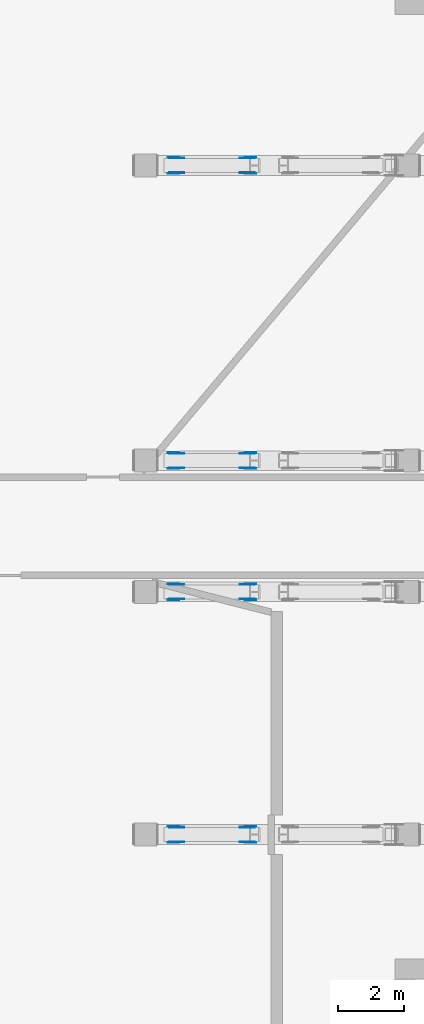
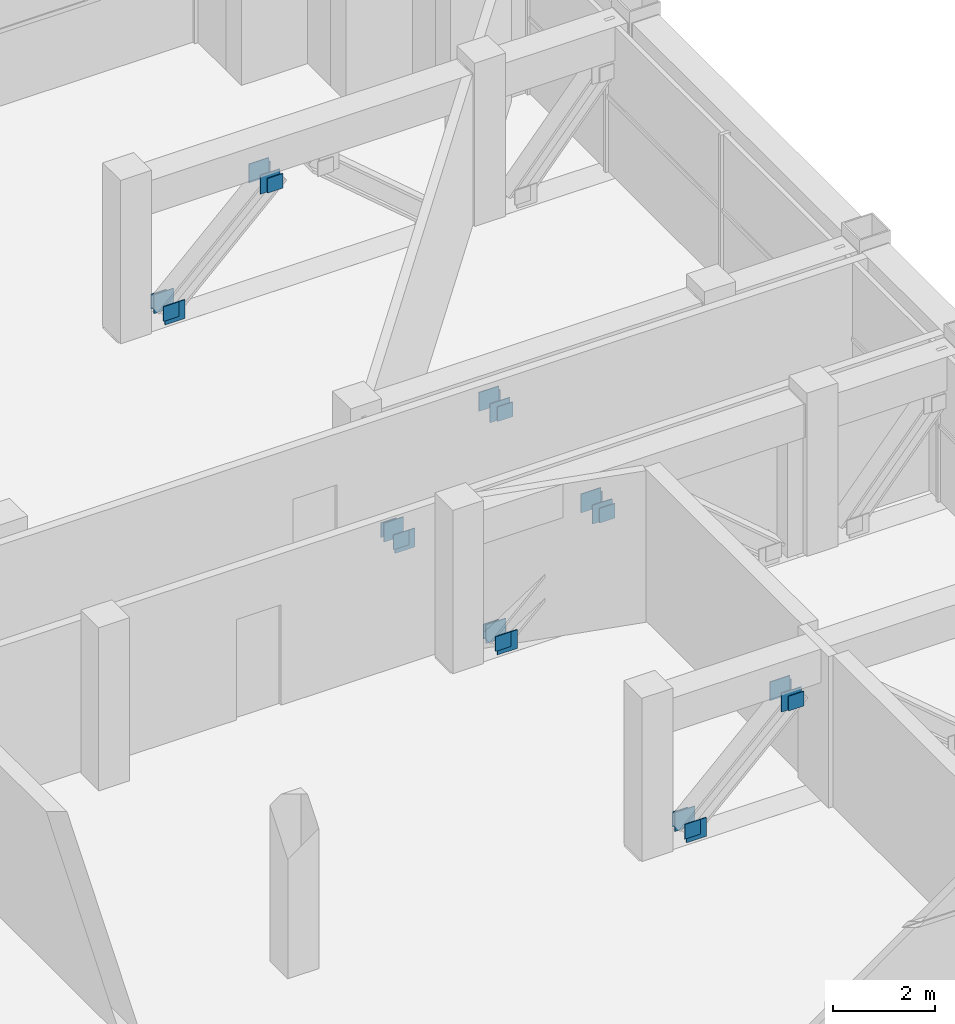
# One storey, part 15 of 21: 32 discrete accessories.
"""IFC4 building model written with IfcOpenShell, lengths in metres."""

from ifc_helpers import new_model, si_unit, direction, frame, origin, origin_2d, place, context, subcontext, project, spatial, rectangle, extrude, element, save


model = new_model("IFC4")

# Units and contexts
model_context = context("Model", 3, precision=1e-05, world=origin(), true_north=direction((0.0, 1.0)))
body_context = subcontext(model_context, "Body", "Model", "MODEL_VIEW")
ifc_project = project(units=[si_unit("LENGTHUNIT", "METRE"), si_unit("AREAUNIT", "SQUARE_METRE"), si_unit("VOLUMEUNIT", "CUBIC_METRE"), si_unit("PLANEANGLEUNIT", "RADIAN"), si_unit("MASSUNIT", "GRAM", prefix="KILO")], contexts=[model_context])

# Site, building, storey
site_placement = place(None, origin())
site = spatial("IfcSite", under=ifc_project, at=site_placement, CompositionType="ELEMENT")
building_placement = place(site_placement, origin())
building = spatial("IfcBuilding", under=site, at=building_placement, Name="Vidyagriha Tower", CompositionType="ELEMENT")
storey_placement = place(building_placement, frame((0.0, 0.0, 161.39990234375)))
storey = spatial("IfcBuildingStorey", under=building, at=storey_placement, Name="L41", CompositionType="ELEMENT", Elevation=161.39990234375)

# Discrete accessories
for number, where, name in (
    (1, (26.95068359375, -9.17822265625, 0.0), "Truss gusset plate ASTM A572 Grade 50 20mm"),
    (2, (26.95068359375, -9.621826171875, 0.0), "Truss gusset plate ASTM A572 Grade 50 20mm"),
    (3, (29.099365234375, -9.17822265625, 2.3701171875), "Truss gusset plate ASTM A572 Grade 50 20mm"),
    (4, (29.099365234375, -9.621826171875, 2.3701171875), "Truss gusset plate ASTM A572 Grade 50 20mm"),
    (5, (26.95068359375, -1.778076171875, 0.0), "Truss gusset plate ASTM A572 Grade 50 20mm"),
    (6, (26.95068359375, -2.221923828125, 0.0), "Truss gusset plate ASTM A572 Grade 50 20mm"),
    (7, (29.099365234375, -1.778076171875, 2.3701171875), "Truss gusset plate ASTM A572 Grade 50 20mm"),
    (8, (29.099365234375, -2.221923828125, 2.3701171875), "Truss gusset plate ASTM A572 Grade 50 20mm"),
    (9, (26.95068359375, 2.221923828125, 0.0), "Truss gusset plate ASTM A572 Grade 50 20mm"),
    (10, (26.95068359375, 1.778076171875, 0.0), "Truss gusset plate ASTM A572 Grade 50 20mm"),
    (11, (29.099365234375, 2.221923828125, 2.3701171875), "Truss gusset plate ASTM A572 Grade 50 20mm"),
    (12, (29.099365234375, 1.778076171875, 2.3701171875), "Truss gusset plate ASTM A572 Grade 50 20mm"),
    (13, (26.95068359375, 11.221923828125, 0.0), "Truss gusset plate ASTM A572 Grade 50 20mm"),
    (14, (26.95068359375, 10.778076171875, 0.0), "Truss gusset plate ASTM A572 Grade 50 20mm"),
    (15, (29.099365234375, 11.221923828125, 2.3701171875), "Truss gusset plate ASTM A572 Grade 50 20mm"),
    (16, (29.099365234375, 10.778076171875, 2.3701171875), "Truss gusset plate ASTM A572 Grade 50 20mm"),
):
    element("IfcDiscreteAccessory", number, at=place(storey_placement, frame(where)), inside=storey, Name=name, ObjectType="GUSSET PLATE", PredefinedType="USERDEFINED", context=body_context, shape_type="SweptSolid", body=[
        extrude(rectangle(XDim=0.449951171875, YDim=0.02001953125, at=origin_2d()), origin(), (0.0, 0.0, 1.0), 0.449951171875),
    ])
for number, where, z_axis, x_axis, name in (
    (17, (26.852294921875, -9.642333984375, 0.114013671875), (0.0, 0.0, 1.0), (-1.0, 0.0, 0.0), "End plate ASTM A572 Grade 50 20mm"),
    (18, (26.852294921875, -9.15771484375, 0.114013671875), (0.0, 0.0, 1.0), (-1.0, 0.0, 0.0), "End plate ASTM A572 Grade 50 20mm"),
):
    element("IfcDiscreteAccessory", number, at=place(storey_placement, frame(where, z_axis=z_axis, x_axis=x_axis)), inside=storey, Name=name, ObjectType="END PLATE", PredefinedType="USERDEFINED", context=body_context, shape_type="SweptSolid", body=[
        extrude(rectangle(XDim=0.35009765625, YDim=0.02001953125, at=origin_2d()), origin(), (0.0, 0.0, 1.0), 0.35009765625),
    ])
for number, where, name in (
    (19, (29.19775390625, -9.15771484375, 2.356201171875), "End plate ASTM A572 Grade 50 20mm"),
    (20, (29.19775390625, -9.642333984375, 2.356201171875), "End plate ASTM A572 Grade 50 20mm"),
):
    element("IfcDiscreteAccessory", number, at=place(storey_placement, frame(where)), inside=storey, Name=name, ObjectType="END PLATE", PredefinedType="USERDEFINED", context=body_context, shape_type="SweptSolid", body=[
        extrude(rectangle(XDim=0.35009765625, YDim=0.02001953125, at=origin_2d()), origin(), (0.0, 0.0, 1.0), 0.35009765625),
    ])
for number, where, z_axis, x_axis, name in (
    (21, (26.852294921875, -2.242431640625, 0.114013671875), (0.0, 0.0, 1.0), (-1.0, 0.0, 0.0), "End plate ASTM A572 Grade 50 20mm"),
    (22, (26.852294921875, -1.757568359375, 0.114013671875), (0.0, 0.0, 1.0), (-1.0, 0.0, 0.0), "End plate ASTM A572 Grade 50 20mm"),
):
    element("IfcDiscreteAccessory", number, at=place(storey_placement, frame(where, z_axis=z_axis, x_axis=x_axis)), inside=storey, Name=name, ObjectType="END PLATE", PredefinedType="USERDEFINED", context=body_context, shape_type="SweptSolid", body=[
        extrude(rectangle(XDim=0.35009765625, YDim=0.02001953125, at=origin_2d()), origin(), (0.0, 0.0, 1.0), 0.35009765625),
    ])
for number, where, name in (
    (23, (29.19775390625, -1.757568359375, 2.356201171875), "End plate ASTM A572 Grade 50 20mm"),
    (24, (29.19775390625, -2.242431640625, 2.356201171875), "End plate ASTM A572 Grade 50 20mm"),
):
    element("IfcDiscreteAccessory", number, at=place(storey_placement, frame(where)), inside=storey, Name=name, ObjectType="END PLATE", PredefinedType="USERDEFINED", context=body_context, shape_type="SweptSolid", body=[
        extrude(rectangle(XDim=0.35009765625, YDim=0.02001953125, at=origin_2d()), origin(), (0.0, 0.0, 1.0), 0.35009765625),
    ])
for number, where, z_axis, x_axis, name in (
    (25, (26.852294921875, 1.757568359375, 0.114013671875), (0.0, 0.0, 1.0), (-1.0, 0.0, 0.0), "End plate ASTM A572 Grade 50 20mm"),
    (26, (26.852294921875, 2.242431640625, 0.114013671875), (0.0, 0.0, 1.0), (-1.0, 0.0, 0.0), "End plate ASTM A572 Grade 50 20mm"),
):
    element("IfcDiscreteAccessory", number, at=place(storey_placement, frame(where, z_axis=z_axis, x_axis=x_axis)), inside=storey, Name=name, ObjectType="END PLATE", PredefinedType="USERDEFINED", context=body_context, shape_type="SweptSolid", body=[
        extrude(rectangle(XDim=0.35009765625, YDim=0.02001953125, at=origin_2d()), origin(), (0.0, 0.0, 1.0), 0.35009765625),
    ])
for number, where, name in (
    (27, (29.19775390625, 2.242431640625, 2.356201171875), "End plate ASTM A572 Grade 50 20mm"),
    (28, (29.19775390625, 1.757568359375, 2.356201171875), "End plate ASTM A572 Grade 50 20mm"),
):
    element("IfcDiscreteAccessory", number, at=place(storey_placement, frame(where)), inside=storey, Name=name, ObjectType="END PLATE", PredefinedType="USERDEFINED", context=body_context, shape_type="SweptSolid", body=[
        extrude(rectangle(XDim=0.35009765625, YDim=0.02001953125, at=origin_2d()), origin(), (0.0, 0.0, 1.0), 0.35009765625),
    ])
for number, where, z_axis, x_axis, name in (
    (29, (26.852294921875, 10.757568359375, 0.114013671875), (0.0, 0.0, 1.0), (-1.0, 0.0, 0.0), "End plate ASTM A572 Grade 50 20mm"),
    (30, (26.852294921875, 11.242431640625, 0.114013671875), (0.0, 0.0, 1.0), (-1.0, 0.0, 0.0), "End plate ASTM A572 Grade 50 20mm"),
):
    element("IfcDiscreteAccessory", number, at=place(storey_placement, frame(where, z_axis=z_axis, x_axis=x_axis)), inside=storey, Name=name, ObjectType="END PLATE", PredefinedType="USERDEFINED", context=body_context, shape_type="SweptSolid", body=[
        extrude(rectangle(XDim=0.35009765625, YDim=0.02001953125, at=origin_2d()), origin(), (0.0, 0.0, 1.0), 0.35009765625),
    ])
for number, where, name in (
    (31, (29.19775390625, 11.242431640625, 2.356201171875), "End plate ASTM A572 Grade 50 20mm"),
    (32, (29.19775390625, 10.757568359375, 2.356201171875), "End plate ASTM A572 Grade 50 20mm"),
):
    element("IfcDiscreteAccessory", number, at=place(storey_placement, frame(where)), inside=storey, Name=name, ObjectType="END PLATE", PredefinedType="USERDEFINED", context=body_context, shape_type="SweptSolid", body=[
        extrude(rectangle(XDim=0.35009765625, YDim=0.02001953125, at=origin_2d()), origin(), (0.0, 0.0, 1.0), 0.35009765625),
    ])

save(model, "model.ifc")
